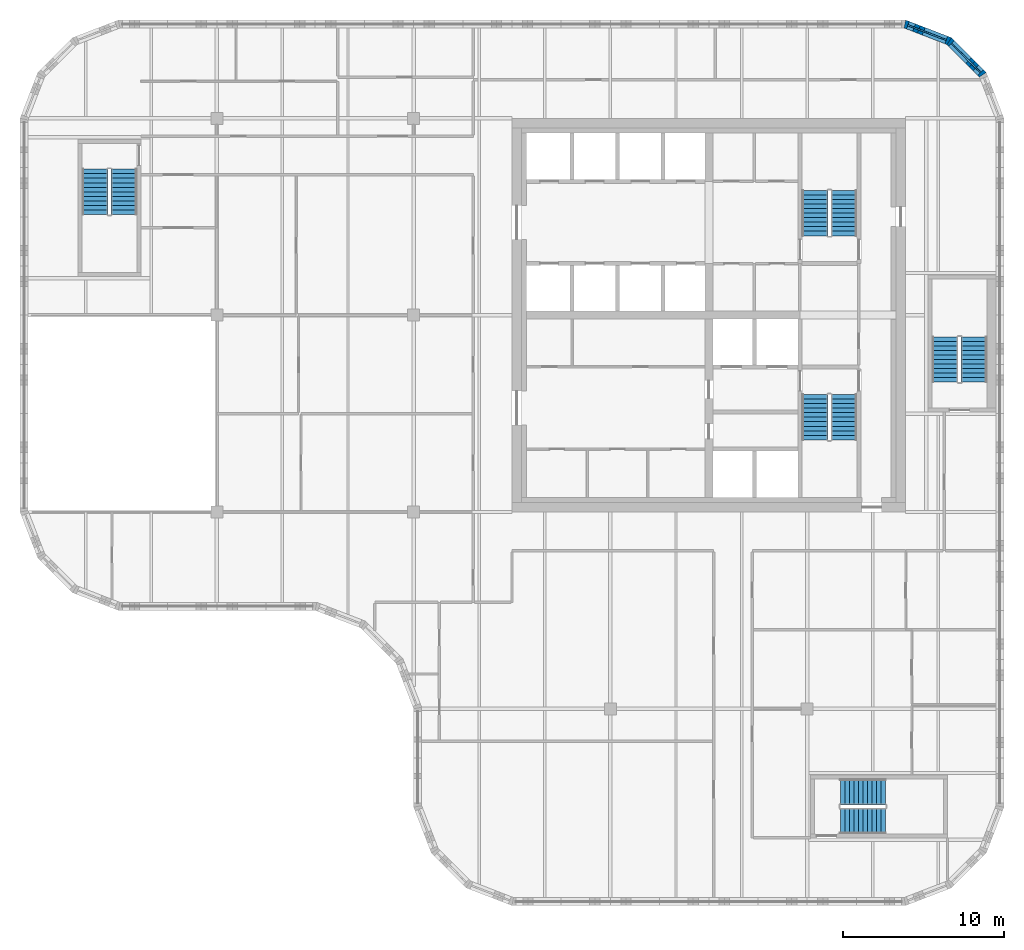
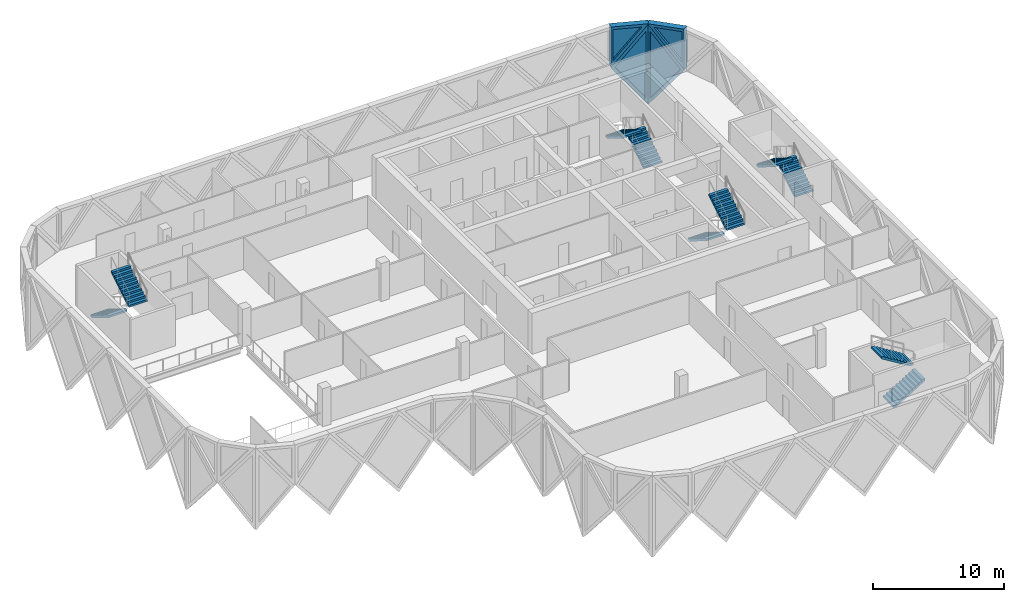
# One storey, part 14 of 15: 10 stair flights, 4 plates, 4 walls, 4 openings, 5 elements without a shape of their own.
"""IFC4 building model written with IfcOpenShell, lengths in metres."""

from ifc_helpers import new_model, si_unit, direction, frame, origin, place, context, subcontext, project, spatial, polyline, outline, extrude, faceted_brep, source, transform, mapped, material, layer, layer_set, type_object, element, fill, aggregate, save


model = new_model("IFC4")

# Units and contexts
model_context = context("Model", 3, precision=1e-05, world=origin(), true_north=direction((0.0, 1.0)))
body_context = subcontext(model_context, "Body", "Model", "MODEL_VIEW")
ifc_project = project(units=[si_unit("LENGTHUNIT", "METRE"), si_unit("AREAUNIT", "SQUARE_METRE"), si_unit("VOLUMEUNIT", "CUBIC_METRE"), si_unit("PLANEANGLEUNIT", "RADIAN"), si_unit("MASSUNIT", "GRAM", prefix="KILO")], contexts=[model_context])

# Site, building, storey
site_placement = place(None, origin())
site = spatial("IfcSite", under=ifc_project, at=site_placement, CompositionType="ELEMENT")
building_placement = place(site_placement, origin())
building = spatial("IfcBuilding", under=site, at=building_placement, Name="Tessera Gate Towers", CompositionType="ELEMENT")
storey_placement = place(building_placement, frame((0.0, 0.0, 189.60009765625)))
storey = spatial("IfcBuildingStorey", under=building, at=storey_placement, Name="L47", CompositionType="ELEMENT", Elevation=189.60009765625)

# Wall, opening, plate
ifc_material_1 = material(Name="Precast concrete C60/75 white", Category="concrete")
ifc_layer_1 = layer(ifc_material_1, 0.5)
ifc_layer_set_1 = layer_set([ifc_layer_1], Name="TS3 corner tessera")
wall_type = type_object("IfcWallType", Name="TS3 corner tessera", PredefinedType="SOLIDWALL", material=ifc_layer_set_1)
shared_shape_1 = source(origin(), body_context, "Body", "Brep", [
    faceted_brep([(2.944091796875, -0.25, 0.0), (2.9970703125, -0.25, 0.068115234375), (2.9970703125, -0.25, 7.53173828125), (2.944091796875, -0.25, 7.599853515625), (0.0, -0.25, 3.800048828125), (0.052978515625, 0.25, 3.868408203125), (2.89111328125, 0.25, 7.53173828125), (2.89111328125, 0.25, 0.068115234375), (0.052978515625, 0.25, 3.731689453125), (2.944091796875, 0.000244140625, 0.0), (2.944091796875, 0.000244140625, 7.599853515625), (0.0, 0.0, 3.800048828125)], [[[0, 1, 2, 3, 4]], [[5, 6, 7, 8]], [[1, 0, 9]], [[10, 3, 2]], [[6, 5, 11, 4, 3, 10]], [[8, 7, 9, 0, 4, 11]], [[8, 11, 5]], [[1, 9, 7, 6, 10, 2]]]),
])
wall_1_placement = place(storey_placement, frame((59.68798828125, 51.50634765625, -3.800048828125), z_axis=(0.0, 0.0, 1.0), x_axis=(-0.707106781187, 0.707106781187, 0.0)))
wall_1 = element("IfcWall", 1, at=wall_1_placement, inside=storey, type_object=wall_type, Name="Precast corner tessera T1 TS3-1087", PredefinedType="SOLIDWALL", context=body_context, shape_type="MappedRepresentation", body=[
    mapped(shared_shape_1, transform((0.0, 0.0, 0.0), scale=1.0)),
])
shared_shape_2 = source(origin(), body_context, "Body", "SweptSolid", [
    extrude(outline(polyline([(2.744140625, 6.93359375), (0.316162109375, 3.800048828125), (2.744140625, 0.666259765625), (2.744140625, 6.93359375)])), frame((0.0, 0.260009765625, 0.0), z_axis=(0.0, -1.0, 0.0), x_axis=(1.0, 0.0, 0.0)), (0.0, 0.0, 1.0), 0.52001953125),
])
opening_1_placement = place(wall_1_placement, origin())
opening_1 = element("IfcOpeningElement", 2, at=opening_1_placement, cuts=wall_1, Name="Opening T1-PL2-1708", PredefinedType="OPENING", context=body_context, shape_type="MappedRepresentation", body=[
    mapped(shared_shape_2, transform((0.0, 0.0, 0.0), scale=1.0)),
])
ifc_material_2 = material(Name="Low-e laminated glass", Category="glass")
ifc_layer_2 = layer(ifc_material_2, 0.06005859375)
ifc_layer_set_2 = layer_set([ifc_layer_2], Name="PL2 rhombic pane")
plate_type_1 = type_object("IfcPlateType", Name="PL2 rhombic pane", PredefinedType="SHEET", material=ifc_layer_set_2)
shared_shape_3 = source(origin(), body_context, "Body", "SweptSolid", [
    extrude(outline(polyline([(2.744140625, 6.93359375), (0.316162109375, 3.800048828125), (2.744140625, 0.666259765625), (2.744140625, 6.93359375)])), frame((0.0, 0.030029296875, 0.0), z_axis=(0.0, -1.0, 0.0), x_axis=(1.0, 0.0, 0.0)), (0.0, 0.0, 1.0), 0.06005859375),
])
plate_1_placement = place(opening_1_placement, origin())
plate_1 = element("IfcPlate", 3, at=plate_1_placement, inside=storey, type_object=plate_type_1, Name="Glass pane T1 PL2-1708", PredefinedType="SHEET", context=body_context, shape_type="MappedRepresentation", body=[
    mapped(shared_shape_3, transform((0.0, 0.0, 0.0), scale=1.0)),
])
fill(opening_1, plate_1)

shared_shape_4 = source(origin(), body_context, "Body", "Brep", [
    faceted_brep([(0.052978515625, -0.25, 0.0), (3.00341796875, -0.25, 3.800048828125), (0.052978515625, -0.25, 7.599853515625), (0.0, -0.25, 7.531494140625), (0.0, -0.25, 0.068359375), (0.10595703125, 0.25, 7.53173828125), (2.95703125, 0.25, 3.85986328125), (2.95703125, 0.25, 3.740234375), (0.10595703125, 0.25, 0.068115234375), (3.00341796875, 0.00048828125, 3.800048828125), (0.052978515625, 0.0, 0.0), (0.052978515625, 0.0, 7.599853515625)], [[[0, 1, 2, 3, 4]], [[5, 6, 7, 8]], [[8, 7, 9, 1, 0, 10]], [[6, 5, 11, 2, 1, 9]], [[3, 2, 11]], [[10, 0, 4]], [[8, 10, 4, 3, 11, 5]], [[7, 6, 9]]]),
])
wall_2_placement = place(storey_placement, frame((57.65576171875, 53.569091796875, -3.800048828125), z_axis=(0.0, 0.0, 1.0), x_axis=(-0.933007896601, 0.359855894603, 0.0)))
wall_2 = element("IfcWall", 4, at=wall_2_placement, inside=storey, type_object=wall_type, Name="Precast corner tessera T1 TS3-1088", PredefinedType="SOLIDWALL", context=body_context, shape_type="MappedRepresentation", body=[
    mapped(shared_shape_4, transform((0.0, 0.0, 0.0), scale=1.0)),
])
shared_shape_5 = source(origin(), body_context, "Body", "SweptSolid", [
    extrude(outline(polyline([(0.2529296875, 0.665283203125), (2.68701171875, 3.800048828125), (0.2529296875, 6.934814453125), (0.2529296875, 0.665283203125)])), frame((0.0, 0.260009765625, 0.0), z_axis=(0.0, -1.0, 0.0), x_axis=(1.0, 0.0, 0.0)), (0.0, 0.0, 1.0), 0.52001953125),
])
opening_2_placement = place(wall_2_placement, origin())
opening_2 = element("IfcOpeningElement", 5, at=opening_2_placement, cuts=wall_2, Name="Opening T1-PL2-1709", PredefinedType="OPENING", context=body_context, shape_type="MappedRepresentation", body=[
    mapped(shared_shape_5, transform((0.0, 0.0, 0.0), scale=1.0)),
])
shared_shape_6 = source(origin(), body_context, "Body", "SweptSolid", [
    extrude(outline(polyline([(0.2529296875, 0.665283203125), (2.68701171875, 3.800048828125), (0.2529296875, 6.934814453125), (0.2529296875, 0.665283203125)])), frame((0.0, 0.030029296875, 0.0), z_axis=(0.0, -1.0, 0.0), x_axis=(1.0, 0.0, 0.0)), (0.0, 0.0, 1.0), 0.06005859375),
])
plate_2_placement = place(opening_2_placement, origin())
plate_2 = element("IfcPlate", 6, at=plate_2_placement, inside=storey, type_object=plate_type_1, Name="Glass pane T1 PL2-1709", PredefinedType="SHEET", context=body_context, shape_type="MappedRepresentation", body=[
    mapped(shared_shape_6, transform((0.0, 0.0, 0.0), scale=1.0)),
])
fill(opening_2, plate_2)

shared_shape_7 = source(origin(), body_context, "Body", "Brep", [
    faceted_brep([(0.052978515625, -0.25, 0.0), (2.9970703125, -0.25, 3.7998046875), (0.0, -0.25, 3.7998046875), (0.0, -0.25, 0.068115234375), (0.10595703125, 0.25, 3.7998046875), (2.944091796875, 0.25, 3.7998046875), (2.944091796875, 0.25, 3.731689453125), (0.10595703125, 0.25, 0.068359375), (2.9970703125, 0.000244140625, 3.7998046875), (0.052978515625, 0.0, 0.0)], [[[0, 1, 2, 3]], [[4, 5, 6, 7]], [[7, 6, 8, 1, 0, 9]], [[5, 4, 2, 1, 8]], [[9, 0, 3]], [[7, 9, 3, 2, 4]], [[6, 5, 8]]]),
])
wall_3_placement = place(storey_placement, frame((59.7255859375, 51.46875, 0.0), z_axis=(0.0, 0.0, 1.0), x_axis=(-0.707106781187, 0.707106781187, 0.0)))
wall_3 = element("IfcWall", 7, at=wall_3_placement, inside=storey, type_object=wall_type, Name="Precast corner tessera T1 TS3-1112", PredefinedType="SOLIDWALL", context=body_context, shape_type="MappedRepresentation", body=[
    mapped(shared_shape_7, transform((0.0, 0.0, 0.0), scale=1.0)),
])
shared_shape_8 = source(origin(), body_context, "Body", "SweptSolid", [
    extrude(outline(polyline([(0.2529296875, 0.666259765625), (2.487060546875, 3.5498046875), (0.2529296875, 3.5498046875), (0.2529296875, 0.666259765625)])), frame((0.0, 0.260009765625, 0.0), z_axis=(0.0, -1.0, 0.0), x_axis=(1.0, 0.0, 0.0)), (0.0, 0.0, 1.0), 0.52001953125),
])
opening_3_placement = place(wall_3_placement, origin())
opening_3 = element("IfcOpeningElement", 8, at=opening_3_placement, cuts=wall_3, Name="Opening T1-PL1-0440", PredefinedType="OPENING", context=body_context, shape_type="MappedRepresentation", body=[
    mapped(shared_shape_8, transform((0.0, 0.0, 0.0), scale=1.0)),
])
ifc_material_3 = material(Name="Low-e laminated glass", Category="glass")
ifc_layer_3 = layer(ifc_material_3, 0.06005859375)
ifc_layer_set_3 = layer_set([ifc_layer_3], Name="PL1 triangular pane")
plate_type_2 = type_object("IfcPlateType", Name="PL1 triangular pane", PredefinedType="SHEET", material=ifc_layer_set_3)
shared_shape_9 = source(origin(), body_context, "Body", "SweptSolid", [
    extrude(outline(polyline([(0.2529296875, 0.666259765625), (2.487060546875, 3.5498046875), (0.2529296875, 3.5498046875), (0.2529296875, 0.666259765625)])), frame((0.0, 0.030029296875, 0.0), z_axis=(0.0, -1.0, 0.0), x_axis=(1.0, 0.0, 0.0)), (0.0, 0.0, 1.0), 0.06005859375),
])
plate_3_placement = place(opening_3_placement, origin())
plate_3 = element("IfcPlate", 9, at=plate_3_placement, inside=storey, type_object=plate_type_2, Name="Glass pane T1 PL1-0440", PredefinedType="SHEET", context=body_context, shape_type="MappedRepresentation", body=[
    mapped(shared_shape_9, transform((0.0, 0.0, 0.0), scale=1.0)),
])
fill(opening_3, plate_3)

shared_shape_10 = source(origin(), body_context, "Body", "Brep", [
    faceted_brep([(2.950439453125, -0.25, 0.0), (2.9970703125, -0.25, 0.05908203125), (2.9970703125, -0.25, 3.7998046875), (0.0, -0.25, 3.7998046875), (0.052978515625, 0.25, 3.7998046875), (2.904052734375, 0.25, 3.7998046875), (2.904052734375, 0.25, 0.059814453125), (0.052978515625, 0.25, 3.731689453125), (2.950439453125, 0.00048828125, 0.0), (0.0, 0.0, 3.7998046875)], [[[0, 1, 2, 3]], [[4, 5, 6, 7]], [[1, 0, 8]], [[5, 4, 9, 3, 2]], [[7, 6, 8, 0, 3, 9]], [[7, 9, 4]], [[1, 8, 6, 5, 2]]]),
])
wall_4_placement = place(storey_placement, frame((57.606201171875, 53.588134765625, 0.0), z_axis=(0.0, 0.0, 1.0), x_axis=(-0.932990326376, 0.359901446078, 0.0)))
wall_4 = element("IfcWall", 10, at=wall_4_placement, inside=storey, type_object=wall_type, Name="Precast corner tessera T1 TS3-1113", PredefinedType="SOLIDWALL", context=body_context, shape_type="MappedRepresentation", body=[
    mapped(shared_shape_10, transform((0.0, 0.0, 0.0), scale=1.0)),
])
shared_shape_11 = source(origin(), body_context, "Body", "SweptSolid", [
    extrude(outline(polyline([(2.75048828125, 3.5498046875), (0.5107421875, 3.5498046875), (2.75048828125, 0.6650390625), (2.75048828125, 3.5498046875)])), frame((0.0, 0.260009765625, 0.0), z_axis=(0.0, -1.0, 0.0), x_axis=(1.0, 0.0, 0.0)), (0.0, 0.0, 1.0), 0.52001953125),
])
opening_4_placement = place(wall_4_placement, origin())
opening_4 = element("IfcOpeningElement", 11, at=opening_4_placement, cuts=wall_4, Name="Opening T1-PL1-0441", PredefinedType="OPENING", context=body_context, shape_type="MappedRepresentation", body=[
    mapped(shared_shape_11, transform((0.0, 0.0, 0.0), scale=1.0)),
])
shared_shape_12 = source(origin(), body_context, "Body", "SweptSolid", [
    extrude(outline(polyline([(2.75048828125, 3.5498046875), (0.5107421875, 3.5498046875), (2.75048828125, 0.6650390625), (2.75048828125, 3.5498046875)])), frame((0.0, 0.030029296875, 0.0), z_axis=(0.0, -1.0, 0.0), x_axis=(1.0, 0.0, 0.0)), (0.0, 0.0, 1.0), 0.06005859375),
])
plate_4_placement = place(opening_4_placement, origin())
plate_4 = element("IfcPlate", 12, at=plate_4_placement, inside=storey, type_object=plate_type_2, Name="Glass pane T1 PL1-0441", PredefinedType="SHEET", context=body_context, shape_type="MappedRepresentation", body=[
    mapped(shared_shape_12, transform((0.0, 0.0, 0.0), scale=1.0)),
])
fill(opening_4, plate_4)

# Stair, stair flights
ifc_material_4 = material(Name="Concrete C40/50", Category="concrete")
stair_type_1 = type_object("IfcStairType", Name="EXIT STAIR ST1 1600", PredefinedType="HALF_TURN_STAIR", material=ifc_material_4)
stair_1_placement = place(storey_placement, origin())
stair_1 = element("IfcStair", 13, at=stair_1_placement, inside=storey, type_object=stair_type_1, Name="L47 Protected Exit Stair ST1", PredefinedType="HALF_TURN_STAIR")
ifc_material_5 = material(Name="Concrete C40/50", Category="concrete")
stair_flight_type_1 = type_object("IfcStairFlightType", Name="EXIT STAIR FLIGHT ST1 1600", PredefinedType="STRAIGHT", material=ifc_material_5)
stair_flight_1_placement = place(storey_placement, frame((49.27490234375, 31.675048828125, 0.0), z_axis=(0.0, 0.0, 1.0), x_axis=(0.0, -1.0, 0.0)))
stair_flight_1 = element("IfcStairFlight", 14, at=stair_flight_1_placement, type_object=stair_flight_type_1, Name="ST1 flight 1", NumberOfRisers=11, NumberOfTreads=10, PredefinedType="STRAIGHT", RiserHeight=0.172727273, TreadLength=0.28, context=body_context, shape_type="SweptSolid", body=[
    extrude(outline(polyline([(0.0, 0.0), (0.0, 0.172607421875), (0.280029296875, 0.172607421875), (0.280029296875, 0.345458984375), (0.56005859375, 0.345458984375), (0.56005859375, 0.51806640625), (0.840087890625, 0.51806640625), (0.840087890625, 0.69091796875), (1.1201171875, 0.69091796875), (1.1201171875, 0.863525390625), (1.39990234375, 0.863525390625), (1.39990234375, 1.036376953125), (1.679931640625, 1.036376953125), (1.679931640625, 1.208984375), (1.9599609375, 1.208984375), (1.9599609375, 1.3818359375), (2.239990234375, 1.3818359375), (2.239990234375, 1.554443359375), (2.52001953125, 1.554443359375), (2.52001953125, 1.727294921875), (2.800048828125, 1.727294921875), (2.800048828125, 1.89990234375), (2.800048828125, 1.551025390625), (0.285400390625, 0.0), (0.0, 0.0)])), frame((0.0, 0.800048828125, 0.0), z_axis=(0.0, -1.0, 0.0), x_axis=(1.0, 0.0, 0.0)), (0.0, 0.0, 1.0), 1.60009765625),
])
stair_flight_2_placement = place(storey_placement, frame((51.074951171875, 28.875, 1.89990234375), z_axis=(0.0, 0.0, 1.0), x_axis=(0.0, 1.0, 0.0)))
stair_flight_2 = element("IfcStairFlight", 15, at=stair_flight_2_placement, type_object=stair_flight_type_1, Name="ST1 flight 2", NumberOfRisers=11, NumberOfTreads=10, PredefinedType="STRAIGHT", RiserHeight=0.172727273, TreadLength=0.28, context=body_context, shape_type="SweptSolid", body=[
    extrude(outline(polyline([(0.0, 0.0), (0.0, 0.172607421875), (0.280029296875, 0.172607421875), (0.280029296875, 0.345458984375), (0.56005859375, 0.345458984375), (0.56005859375, 0.51806640625), (0.840087890625, 0.51806640625), (0.840087890625, 0.69091796875), (1.1201171875, 0.69091796875), (1.1201171875, 0.863525390625), (1.39990234375, 0.863525390625), (1.39990234375, 1.036376953125), (1.679931640625, 1.036376953125), (1.679931640625, 1.208984375), (1.9599609375, 1.208984375), (1.9599609375, 1.3818359375), (2.239990234375, 1.3818359375), (2.239990234375, 1.554443359375), (2.52001953125, 1.554443359375), (2.52001953125, 1.727294921875), (2.800048828125, 1.727294921875), (2.800048828125, 1.89990234375), (2.800048828125, 1.551025390625), (0.285400390625, 0.0), (0.0, 0.0)])), frame((0.0, 0.800048828125, 0.0), z_axis=(0.0, -1.0, 0.0), x_axis=(1.0, 0.0, 0.0)), (0.0, 0.0, 1.0), 1.60009765625),
])
aggregate(stair_1, [stair_flight_1, stair_flight_2])

ifc_material_6 = material(Name="Concrete C40/50", Category="concrete")
stair_type_2 = type_object("IfcStairType", Name="EXIT STAIR ST2 1600", PredefinedType="HALF_TURN_STAIR", material=ifc_material_6)
stair_2_placement = place(storey_placement, origin())
stair_2 = element("IfcStair", 16, at=stair_2_placement, inside=storey, type_object=stair_type_2, Name="L47 Protected Exit Stair ST2", PredefinedType="HALF_TURN_STAIR")
ifc_material_7 = material(Name="Concrete C40/50", Category="concrete")
stair_flight_type_2 = type_object("IfcStairFlightType", Name="EXIT STAIR FLIGHT ST2 1600", PredefinedType="STRAIGHT", material=ifc_material_7)
stair_flight_3_placement = place(storey_placement, frame((51.074951171875, 41.52490234375, 0.0), z_axis=(0.0, 0.0, 1.0), x_axis=(0.0, 1.0, 0.0)))
stair_flight_3 = element("IfcStairFlight", 17, at=stair_flight_3_placement, type_object=stair_flight_type_2, Name="ST2 flight 1", NumberOfRisers=11, NumberOfTreads=10, PredefinedType="STRAIGHT", RiserHeight=0.172727273, TreadLength=0.28, context=body_context, shape_type="SweptSolid", body=[
    extrude(outline(polyline([(0.0, 0.0), (0.0, 0.172607421875), (0.280029296875, 0.172607421875), (0.280029296875, 0.345458984375), (0.56005859375, 0.345458984375), (0.56005859375, 0.51806640625), (0.840087890625, 0.51806640625), (0.840087890625, 0.69091796875), (1.1201171875, 0.69091796875), (1.1201171875, 0.863525390625), (1.39990234375, 0.863525390625), (1.39990234375, 1.036376953125), (1.679931640625, 1.036376953125), (1.679931640625, 1.208984375), (1.9599609375, 1.208984375), (1.9599609375, 1.3818359375), (2.239990234375, 1.3818359375), (2.239990234375, 1.554443359375), (2.52001953125, 1.554443359375), (2.52001953125, 1.727294921875), (2.800048828125, 1.727294921875), (2.800048828125, 1.89990234375), (2.800048828125, 1.551025390625), (0.285400390625, 0.0), (0.0, 0.0)])), frame((0.0, 0.800048828125, 0.0), z_axis=(0.0, -1.0, 0.0), x_axis=(1.0, 0.0, 0.0)), (0.0, 0.0, 1.0), 1.60009765625),
])
stair_flight_4_placement = place(storey_placement, frame((49.27490234375, 44.324951171875, 1.89990234375), z_axis=(0.0, 0.0, 1.0), x_axis=(0.0, -1.0, 0.0)))
stair_flight_4 = element("IfcStairFlight", 18, at=stair_flight_4_placement, type_object=stair_flight_type_2, Name="ST2 flight 2", NumberOfRisers=11, NumberOfTreads=10, PredefinedType="STRAIGHT", RiserHeight=0.172727273, TreadLength=0.28, context=body_context, shape_type="SweptSolid", body=[
    extrude(outline(polyline([(0.0, 0.0), (0.0, 0.172607421875), (0.280029296875, 0.172607421875), (0.280029296875, 0.345458984375), (0.56005859375, 0.345458984375), (0.56005859375, 0.51806640625), (0.840087890625, 0.51806640625), (0.840087890625, 0.69091796875), (1.1201171875, 0.69091796875), (1.1201171875, 0.863525390625), (1.39990234375, 0.863525390625), (1.39990234375, 1.036376953125), (1.679931640625, 1.036376953125), (1.679931640625, 1.208984375), (1.9599609375, 1.208984375), (1.9599609375, 1.3818359375), (2.239990234375, 1.3818359375), (2.239990234375, 1.554443359375), (2.52001953125, 1.554443359375), (2.52001953125, 1.727294921875), (2.800048828125, 1.727294921875), (2.800048828125, 1.89990234375), (2.800048828125, 1.551025390625), (0.285400390625, 0.0), (0.0, 0.0)])), frame((0.0, 0.800048828125, 0.0), z_axis=(0.0, -1.0, 0.0), x_axis=(1.0, 0.0, 0.0)), (0.0, 0.0, 1.0), 1.60009765625),
])
aggregate(stair_2, [stair_flight_3, stair_flight_4])

ifc_material_8 = material(Name="Concrete C40/50", Category="concrete")
stair_type_3 = type_object("IfcStairType", Name="EXIT STAIR ST3 1600", PredefinedType="HALF_TURN_STAIR", material=ifc_material_8)
stair_3_placement = place(storey_placement, origin())
stair_3 = element("IfcStair", 19, at=stair_3_placement, inside=storey, type_object=stair_type_3, Name="L47 West Exit Stair ST3", PredefinedType="HALF_TURN_STAIR")
ifc_material_9 = material(Name="Concrete C40/50", Category="concrete")
stair_flight_type_3 = type_object("IfcStairFlightType", Name="EXIT STAIR FLIGHT ST3 1600", PredefinedType="STRAIGHT", material=ifc_material_9)
stair_flight_5_placement = place(storey_placement, frame((4.64990234375, 45.64990234375, 0.0), z_axis=(0.0, 0.0, 1.0), x_axis=(0.0, -1.0, 0.0)))
stair_flight_5 = element("IfcStairFlight", 20, at=stair_flight_5_placement, type_object=stair_flight_type_3, Name="ST3 flight 1", NumberOfRisers=11, NumberOfTreads=10, PredefinedType="STRAIGHT", RiserHeight=0.172727273, TreadLength=0.28, context=body_context, shape_type="SweptSolid", body=[
    extrude(outline(polyline([(0.0, 0.0), (0.0, 0.172607421875), (0.280029296875, 0.172607421875), (0.280029296875, 0.345458984375), (0.56005859375, 0.345458984375), (0.56005859375, 0.51806640625), (0.840087890625, 0.51806640625), (0.840087890625, 0.69091796875), (1.1201171875, 0.69091796875), (1.1201171875, 0.863525390625), (1.39990234375, 0.863525390625), (1.39990234375, 1.036376953125), (1.679931640625, 1.036376953125), (1.679931640625, 1.208984375), (1.9599609375, 1.208984375), (1.9599609375, 1.3818359375), (2.239990234375, 1.3818359375), (2.239990234375, 1.554443359375), (2.52001953125, 1.554443359375), (2.52001953125, 1.727294921875), (2.800048828125, 1.727294921875), (2.800048828125, 1.89990234375), (2.800048828125, 1.551025390625), (0.285400390625, 0.0), (0.0, 0.0)])), frame((0.0, 0.800048828125, 0.0), z_axis=(0.0, -1.0, 0.0), x_axis=(1.0, 0.0, 0.0)), (0.0, 0.0, 1.0), 1.60009765625),
])
stair_flight_6_placement = place(storey_placement, frame((6.449951171875, 42.85009765625, 1.89990234375), z_axis=(0.0, 0.0, 1.0), x_axis=(0.0, 1.0, 0.0)))
stair_flight_6 = element("IfcStairFlight", 21, at=stair_flight_6_placement, type_object=stair_flight_type_3, Name="ST3 flight 2", NumberOfRisers=11, NumberOfTreads=10, PredefinedType="STRAIGHT", RiserHeight=0.172727273, TreadLength=0.28, context=body_context, shape_type="SweptSolid", body=[
    extrude(outline(polyline([(0.0, 0.0), (0.0, 0.172607421875), (0.280029296875, 0.172607421875), (0.280029296875, 0.345458984375), (0.56005859375, 0.345458984375), (0.56005859375, 0.51806640625), (0.840087890625, 0.51806640625), (0.840087890625, 0.69091796875), (1.1201171875, 0.69091796875), (1.1201171875, 0.863525390625), (1.39990234375, 0.863525390625), (1.39990234375, 1.036376953125), (1.679931640625, 1.036376953125), (1.679931640625, 1.208984375), (1.9599609375, 1.208984375), (1.9599609375, 1.3818359375), (2.239990234375, 1.3818359375), (2.239990234375, 1.554443359375), (2.52001953125, 1.554443359375), (2.52001953125, 1.727294921875), (2.800048828125, 1.727294921875), (2.800048828125, 1.89990234375), (2.800048828125, 1.551025390625), (0.285400390625, 0.0), (0.0, 0.0)])), frame((0.0, 0.800048828125, 0.0), z_axis=(0.0, -1.0, 0.0), x_axis=(1.0, 0.0, 0.0)), (0.0, 0.0, 1.0), 1.60009765625),
])
aggregate(stair_3, [stair_flight_5, stair_flight_6])

ifc_material_10 = material(Name="Concrete C40/50", Category="concrete")
stair_type_4 = type_object("IfcStairType", Name="EXIT STAIR ST4 1600", PredefinedType="HALF_TURN_STAIR", material=ifc_material_10)
stair_4_placement = place(storey_placement, origin())
stair_4 = element("IfcStair", 22, at=stair_4_placement, inside=storey, type_object=stair_type_4, Name="L47 South Exit Stair ST4", PredefinedType="HALF_TURN_STAIR")
ifc_material_11 = material(Name="Concrete C40/50", Category="concrete")
stair_flight_type_4 = type_object("IfcStairFlightType", Name="EXIT STAIR FLIGHT ST4 1600", PredefinedType="STRAIGHT", material=ifc_material_11)
stair_flight_7_placement = place(storey_placement, frame((50.85009765625, 5.25, 0.0), z_axis=(0.0, 0.0, 1.0), x_axis=(1.0, 0.0, 0.0)))
stair_flight_7 = element("IfcStairFlight", 23, at=stair_flight_7_placement, type_object=stair_flight_type_4, Name="ST4 flight 1", NumberOfRisers=11, NumberOfTreads=10, PredefinedType="STRAIGHT", RiserHeight=0.172727273, TreadLength=0.28, context=body_context, shape_type="SweptSolid", body=[
    extrude(outline(polyline([(0.0, 0.0), (0.0, 0.172607421875), (0.280029296875, 0.172607421875), (0.280029296875, 0.345458984375), (0.56005859375, 0.345458984375), (0.56005859375, 0.51806640625), (0.840087890625, 0.51806640625), (0.840087890625, 0.69091796875), (1.1201171875, 0.69091796875), (1.1201171875, 0.863525390625), (1.39990234375, 0.863525390625), (1.39990234375, 1.036376953125), (1.679931640625, 1.036376953125), (1.679931640625, 1.208984375), (1.9599609375, 1.208984375), (1.9599609375, 1.3818359375), (2.239990234375, 1.3818359375), (2.239990234375, 1.554443359375), (2.52001953125, 1.554443359375), (2.52001953125, 1.727294921875), (2.800048828125, 1.727294921875), (2.800048828125, 1.89990234375), (2.800048828125, 1.551025390625), (0.285400390625, 0.0), (0.0, 0.0)])), frame((0.0, 0.800048828125, 0.0), z_axis=(0.0, -1.0, 0.0), x_axis=(1.0, 0.0, 0.0)), (0.0, 0.0, 1.0), 1.60009765625),
])
stair_flight_8_placement = place(storey_placement, frame((53.64990234375, 7.050048828125, 1.89990234375), z_axis=(0.0, 0.0, 1.0), x_axis=(-1.0, 0.0, 0.0)))
stair_flight_8 = element("IfcStairFlight", 24, at=stair_flight_8_placement, type_object=stair_flight_type_4, Name="ST4 flight 2", NumberOfRisers=11, NumberOfTreads=10, PredefinedType="STRAIGHT", RiserHeight=0.172727273, TreadLength=0.28, context=body_context, shape_type="SweptSolid", body=[
    extrude(outline(polyline([(0.0, 0.0), (0.0, 0.172607421875), (0.280029296875, 0.172607421875), (0.280029296875, 0.345458984375), (0.56005859375, 0.345458984375), (0.56005859375, 0.51806640625), (0.840087890625, 0.51806640625), (0.840087890625, 0.69091796875), (1.1201171875, 0.69091796875), (1.1201171875, 0.863525390625), (1.39990234375, 0.863525390625), (1.39990234375, 1.036376953125), (1.679931640625, 1.036376953125), (1.679931640625, 1.208984375), (1.9599609375, 1.208984375), (1.9599609375, 1.3818359375), (2.239990234375, 1.3818359375), (2.239990234375, 1.554443359375), (2.52001953125, 1.554443359375), (2.52001953125, 1.727294921875), (2.800048828125, 1.727294921875), (2.800048828125, 1.89990234375), (2.800048828125, 1.551025390625), (0.285400390625, 0.0), (0.0, 0.0)])), frame((0.0, 0.800048828125, 0.0), z_axis=(0.0, -1.0, 0.0), x_axis=(1.0, 0.0, 0.0)), (0.0, 0.0, 1.0), 1.60009765625),
])
aggregate(stair_4, [stair_flight_7, stair_flight_8])

ifc_material_12 = material(Name="Concrete C40/50", Category="concrete")
stair_type_5 = type_object("IfcStairType", Name="EXIT STAIR ST5 1600", PredefinedType="HALF_TURN_STAIR", material=ifc_material_12)
stair_5_placement = place(storey_placement, origin())
stair_5 = element("IfcStair", 25, at=stair_5_placement, inside=storey, type_object=stair_type_5, Name="L47 East Exit Stair ST5", PredefinedType="HALF_TURN_STAIR")
ifc_material_13 = material(Name="Concrete C40/50", Category="concrete")
stair_flight_type_5 = type_object("IfcStairFlightType", Name="EXIT STAIR FLIGHT ST5 1600", PredefinedType="STRAIGHT", material=ifc_material_13)
stair_flight_9_placement = place(storey_placement, frame((59.14990234375, 32.449951171875, 0.0), z_axis=(0.0, 0.0, 1.0), x_axis=(0.0, 1.0, 0.0)))
stair_flight_9 = element("IfcStairFlight", 26, at=stair_flight_9_placement, type_object=stair_flight_type_5, Name="ST5 flight 1", NumberOfRisers=11, NumberOfTreads=10, PredefinedType="STRAIGHT", RiserHeight=0.172727273, TreadLength=0.28, context=body_context, shape_type="SweptSolid", body=[
    extrude(outline(polyline([(0.0, 0.0), (0.0, 0.172607421875), (0.280029296875, 0.172607421875), (0.280029296875, 0.345458984375), (0.56005859375, 0.345458984375), (0.56005859375, 0.51806640625), (0.840087890625, 0.51806640625), (0.840087890625, 0.69091796875), (1.1201171875, 0.69091796875), (1.1201171875, 0.863525390625), (1.39990234375, 0.863525390625), (1.39990234375, 1.036376953125), (1.679931640625, 1.036376953125), (1.679931640625, 1.208984375), (1.9599609375, 1.208984375), (1.9599609375, 1.3818359375), (2.239990234375, 1.3818359375), (2.239990234375, 1.554443359375), (2.52001953125, 1.554443359375), (2.52001953125, 1.727294921875), (2.800048828125, 1.727294921875), (2.800048828125, 1.89990234375), (2.800048828125, 1.551025390625), (0.285400390625, 0.0), (0.0, 0.0)])), frame((0.0, 0.800048828125, 0.0), z_axis=(0.0, -1.0, 0.0), x_axis=(1.0, 0.0, 0.0)), (0.0, 0.0, 1.0), 1.60009765625),
])
stair_flight_10_placement = place(storey_placement, frame((57.35009765625, 35.25, 1.89990234375), z_axis=(0.0, 0.0, 1.0), x_axis=(0.0, -1.0, 0.0)))
stair_flight_10 = element("IfcStairFlight", 27, at=stair_flight_10_placement, type_object=stair_flight_type_5, Name="ST5 flight 2", NumberOfRisers=11, NumberOfTreads=10, PredefinedType="STRAIGHT", RiserHeight=0.172727273, TreadLength=0.28, context=body_context, shape_type="SweptSolid", body=[
    extrude(outline(polyline([(0.0, 0.0), (0.0, 0.172607421875), (0.280029296875, 0.172607421875), (0.280029296875, 0.345458984375), (0.56005859375, 0.345458984375), (0.56005859375, 0.51806640625), (0.840087890625, 0.51806640625), (0.840087890625, 0.69091796875), (1.1201171875, 0.69091796875), (1.1201171875, 0.863525390625), (1.39990234375, 0.863525390625), (1.39990234375, 1.036376953125), (1.679931640625, 1.036376953125), (1.679931640625, 1.208984375), (1.9599609375, 1.208984375), (1.9599609375, 1.3818359375), (2.239990234375, 1.3818359375), (2.239990234375, 1.554443359375), (2.52001953125, 1.554443359375), (2.52001953125, 1.727294921875), (2.800048828125, 1.727294921875), (2.800048828125, 1.89990234375), (2.800048828125, 1.551025390625), (0.285400390625, 0.0), (0.0, 0.0)])), frame((0.0, 0.800048828125, 0.0), z_axis=(0.0, -1.0, 0.0), x_axis=(1.0, 0.0, 0.0)), (0.0, 0.0, 1.0), 1.60009765625),
])
aggregate(stair_5, [stair_flight_9, stair_flight_10])

save(model, "model.ifc")
